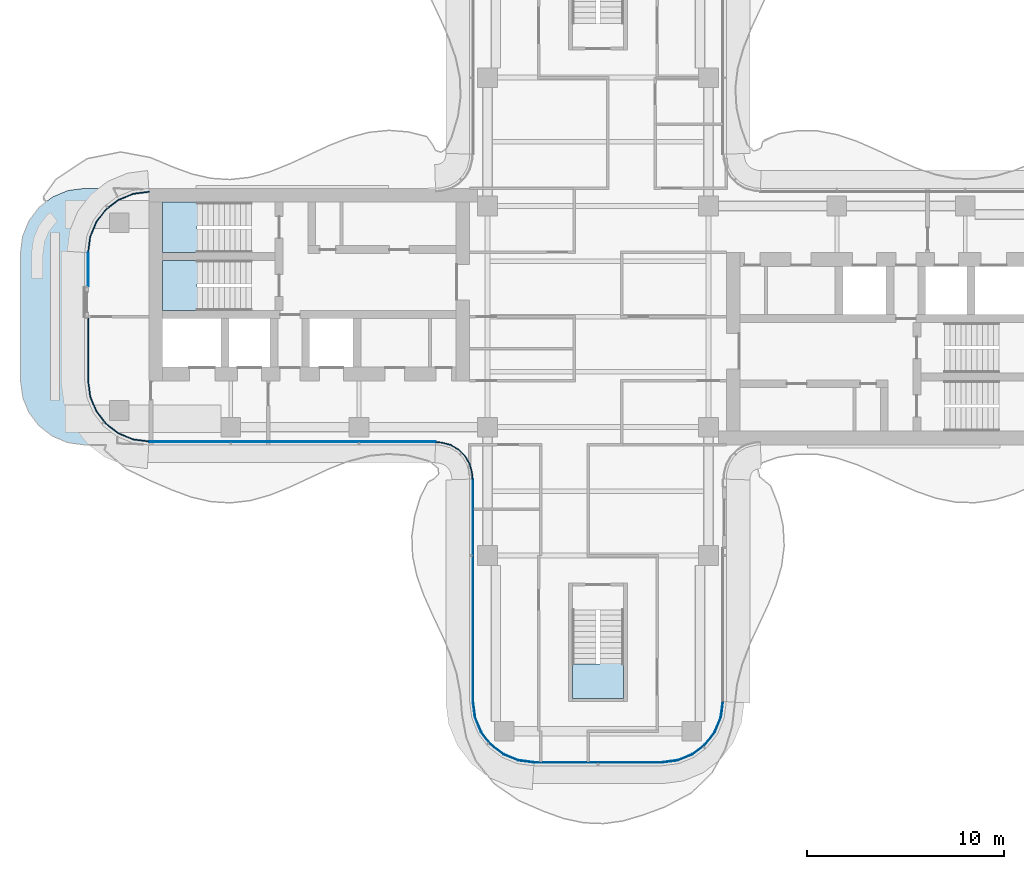
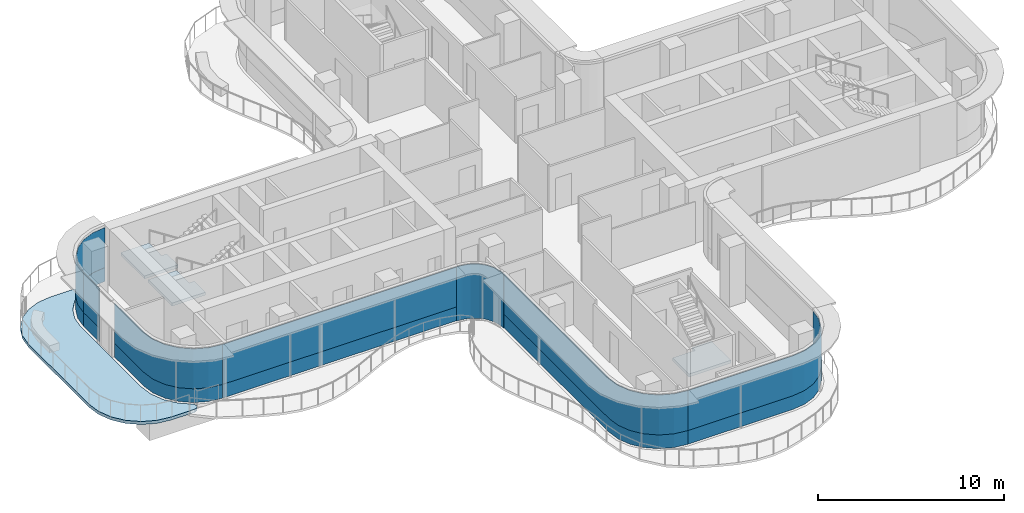
# One storey, part 8 of 17: 13 plates, 4 slabs, 10 elements without a shape of their own.
"""IFC4 building model written with IfcOpenShell, lengths in metres."""

import ifcopenshell
import ifcopenshell.guid

model = None  # the IFC model being written
_history = None  # IfcOwnerHistory: only IFC2X3 demands one
_inside = {}  # id of a spatial element -> (the spatial element, [elements in it])
_under = {}  # id of a project, library or spatial element -> (it, [spatial elements below it])
_declared = {}  # id of a project -> (the project, [libraries it declares])
_typed = {}  # id of a type object -> (the type object, [elements of that type])
_made_of = {}  # id of a material, layer set ... -> (it, [elements and type objects made of it])


def new_model(schema):
    """Start an empty IFC model of exactly this schema.

    Asked for "IFC4X3", IfcOpenShell would pick the latest addendum, in which some entities
    have other attributes; the version numbers below select the first issue.
    IFC2X3 requires an IfcOwnerHistory on every rooted entity: one is made here for all.
    """
    global model, _history
    if schema == "IFC4X3":
        model = ifcopenshell.file(schema_version=(4, 3, 0, 0))
    else:
        model = ifcopenshell.file(schema=schema)
    _inside.clear()
    _under.clear()
    _declared.clear()
    _typed.clear()
    _made_of.clear()
    _history = None
    if model.schema == "IFC2X3":
        org = make("IfcOrganization", Name="unknown")
        user = make(
            "IfcPersonAndOrganization",
            ThePerson=make("IfcPerson", FamilyName="unknown"),
            TheOrganization=org,
        )
        app = make(
            "IfcApplication",
            ApplicationDeveloper=org,
            Version="unknown",
            ApplicationFullName="unknown",
            ApplicationIdentifier="unknown",
        )
        _history = make(
            "IfcOwnerHistory",
            OwningUser=user,
            OwningApplication=app,
            ChangeAction="ADDED",
            CreationDate=0,
        )
    return model


def make(cls, **values):
    """One entity of the class cls with the attributes given. An attribute that is None is left unset."""
    return model.create_entity(
        cls, **{name: value for name, value in values.items() if value is not None}
    )


def rooted(cls, **values):
    """An entity with a GlobalId (a new one), such as an element, a storey or a relation."""
    return make(cls, GlobalId=ifcopenshell.guid.new(), OwnerHistory=_history, **values)


def si_unit(unit_type, name, prefix=None):
    """IfcSIUnit, for example si_unit("LENGTHUNIT", "METRE", prefix="MILLI")."""
    return make("IfcSIUnit", UnitType=unit_type, Prefix=prefix, Name=name)


def assignment(units):
    """IfcUnitAssignment: the units of a project."""
    return None if units is None else make("IfcUnitAssignment", Units=units)


def point(xyz):
    """IfcCartesianPoint."""
    return None if xyz is None else make("IfcCartesianPoint", Coordinates=xyz)


def direction(xyz):
    """IfcDirection."""
    return None if xyz is None else make("IfcDirection", DirectionRatios=xyz)


def frame(location, z_axis=None, x_axis=None):
    """IfcAxis2Placement3D, a coordinate frame: its origin and axes. An axis left out is left unset."""
    return make(
        "IfcAxis2Placement3D",
        Location=point(location),
        Axis=direction(z_axis),
        RefDirection=direction(x_axis),
    )


def origin():
    """The frame at (0, 0, 0) with its axes left unset."""
    return frame((0.0, 0.0, 0.0))


def place(relative_to, where):
    """IfcLocalPlacement: puts the frame where relative to a parent placement (None: the world)."""
    return make(
        "IfcLocalPlacement", PlacementRelTo=relative_to, RelativePlacement=where
    )


def context(
    kind, dimensions, precision=None, world=None, true_north=None, identifier=None
):
    """IfcGeometricRepresentationContext, for example the 3D "Model" context."""
    return make(
        "IfcGeometricRepresentationContext",
        ContextIdentifier=identifier,
        ContextType=kind,
        CoordinateSpaceDimension=dimensions,
        Precision=precision,
        WorldCoordinateSystem=world,
        TrueNorth=true_north,
    )


def subcontext(parent, identifier, kind, view, scale=None):
    """IfcGeometricRepresentationSubContext, for example "Body" below "Model"."""
    return make(
        "IfcGeometricRepresentationSubContext",
        ContextIdentifier=identifier,
        ContextType=kind,
        ParentContext=parent,
        TargetScale=scale,
        TargetView=view,
    )


def project(units=None, contexts=None):
    """IfcProject with its units and contexts."""
    return rooted(
        "IfcProject",
        Name="project",
        RepresentationContexts=contexts,
        UnitsInContext=assignment(units),
    )


def spatial(cls, under=None, at=None, **own):
    """A site, building, storey or space (cls), placed at a placement, below another one or the project."""
    s = rooted(cls, ObjectPlacement=at, **own)
    if under is not None:
        _under.setdefault(under.id(), (under, []))[1].append(s)
    return s


def polyline(points):
    """IfcPolyline through the points."""
    return make("IfcPolyline", Points=[point(p) for p in points])


def outline(outer, holes=None, kind="AREA"):
    """IfcArbitraryClosedProfileDef: a profile drawn as a closed curve; with holes, ...WithVoids."""
    if holes is None:
        return make("IfcArbitraryClosedProfileDef", ProfileType=kind, OuterCurve=outer)
    return make(
        "IfcArbitraryProfileDefWithVoids",
        ProfileType=kind,
        OuterCurve=outer,
        InnerCurves=holes,
    )


def extrude(swept, where, along, depth):
    """IfcExtrudedAreaSolid: the profile swept, set in the frame where, extruded along a direction by depth."""
    return make(
        "IfcExtrudedAreaSolid",
        SweptArea=swept,
        Position=where,
        ExtrudedDirection=direction(along),
        Depth=depth,
    )


def shape(context_of_items, identifier, shape_type, items):
    """IfcShapeRepresentation: the items that make up one representation, for example the "Body"."""
    return make(
        "IfcShapeRepresentation",
        ContextOfItems=context_of_items,
        RepresentationIdentifier=identifier,
        RepresentationType=shape_type,
        Items=items,
    )


def source(mapping_origin, context_of_items, identifier, shape_type, items):
    """IfcRepresentationMap: a shape defined once, which mapped items show again and again."""
    return make(
        "IfcRepresentationMap",
        MappingOrigin=mapping_origin,
        MappedRepresentation=shape(context_of_items, identifier, shape_type, items),
    )


def transform(
    local_origin,
    x_axis=None,
    y_axis=None,
    z_axis=None,
    scale=None,
    scale2=None,
    scale3=None,
    uniform=True,
):
    """IfcCartesianTransformationOperator3D, or its non-uniform kind. x_axis, y_axis, z_axis: its Axis1, 2, 3."""
    if uniform:
        return make(
            "IfcCartesianTransformationOperator3D",
            Axis1=direction(x_axis),
            Axis2=direction(y_axis),
            LocalOrigin=point(local_origin),
            Scale=scale,
            Axis3=direction(z_axis),
        )
    return make(
        "IfcCartesianTransformationOperator3DnonUniform",
        Axis1=direction(x_axis),
        Axis2=direction(y_axis),
        LocalOrigin=point(local_origin),
        Scale=scale,
        Axis3=direction(z_axis),
        Scale2=scale2,
        Scale3=scale3,
    )


def mapped(mapping_source, mapping_target):
    """IfcMappedItem: shows the shape of a source again, moved by a transform."""
    return make(
        "IfcMappedItem", MappingSource=mapping_source, MappingTarget=mapping_target
    )


def material(Name=None, Category=None):
    """IfcMaterial."""
    return make("IfcMaterial", Name=Name, Category=Category)


def layer(
    of_material, thickness, ventilated=None, Name=None, Category=None, Priority=None
):
    """IfcMaterialLayer: one layer of a wall or slab, of a material (None: an air gap)."""
    return make(
        "IfcMaterialLayer",
        Material=of_material,
        LayerThickness=thickness,
        IsVentilated=ventilated,
        Name=Name,
        Category=Category,
        Priority=Priority,
    )


def layer_set(layers, Name=None):
    """IfcMaterialLayerSet."""
    return make("IfcMaterialLayerSet", MaterialLayers=layers, LayerSetName=Name)


def made_of(thing, what):
    """Note that an element or type object is made of a material, layer set ...; save() writes the relation."""
    if what is not None:
        _made_of.setdefault(what.id(), (what, []))[1].append(thing)
    return thing


def type_object(cls, material=None, **own):
    """A type object (cls), such as IfcWallType, which elements share."""
    return made_of(rooted(cls, **own), material)


def element(
    cls,
    number,
    at=None,
    inside=None,
    cuts=None,
    type_object=None,
    material=None,
    context=None,
    identifier="Body",
    shape_type=None,
    held_by="IfcProductDefinitionShape",
    body=None,
    shapes=None,
    **own,
):
    """One element of the class cls, such as IfcWall. Its Tag is "e" and its number.

    at: its placement. inside: the storey or other place that contains it. cuts: it is an
    opening in that element (IfcRelVoidsElement). A single representation is given by context,
    identifier, shape_type and body (its items); several are given by shapes. held_by: the class
    of the entity that holds the representations. save() writes the other relations.
    """
    e = rooted(cls, Tag="e%d" % number, ObjectPlacement=at, **own)
    if body is not None:
        shapes = [shape(context, identifier, shape_type, body)]
    if shapes is not None:
        e.Representation = make(held_by, Representations=shapes)
    if inside is not None:
        _inside.setdefault(inside.id(), (inside, []))[1].append(e)
    if cuts is not None:
        rooted(
            "IfcRelVoidsElement", RelatingBuildingElement=cuts, RelatedOpeningElement=e
        )
    if type_object is not None:
        _typed.setdefault(type_object.id(), (type_object, []))[1].append(e)
    return made_of(e, material)


def aggregate(whole, parts):
    """IfcRelAggregates: a whole, such as a stair, and the parts it consists of."""
    return rooted("IfcRelAggregates", RelatingObject=whole, RelatedObjects=parts)


def save(model, path):
    """Write the relations noted so far, then the file.

    IfcRelAggregates (storeys below a building ...), IfcRelContainedInSpatialStructure (elements
    in a storey), IfcRelDefinesByType, IfcRelAssociatesMaterial and IfcRelDeclares: one each for
    every whole, place, type object, material and project.
    """
    for whole, parts in _under.values():
        aggregate(whole, parts)
    for where, things in _inside.values():
        rooted(
            "IfcRelContainedInSpatialStructure",
            RelatedElements=things,
            RelatingStructure=where,
        )
    for kind, things in _typed.values():
        rooted("IfcRelDefinesByType", RelatedObjects=things, RelatingType=kind)
    for what, things in _made_of.values():
        rooted("IfcRelAssociatesMaterial", RelatedObjects=things, RelatingMaterial=what)
    for by, libraries in _declared.values():
        rooted("IfcRelDeclares", RelatingContext=by, RelatedDefinitions=libraries)
    model.write(path)


model = new_model("IFC4")

# Units and contexts
model_context = context("Model", 3, precision=1e-05, world=origin(), true_north=direction((0.0, 1.0)))
body_context = subcontext(model_context, "Body", "Model", "MODEL_VIEW")
ifc_project = project(units=[si_unit("LENGTHUNIT", "METRE"), si_unit("AREAUNIT", "SQUARE_METRE"), si_unit("VOLUMEUNIT", "CUBIC_METRE"), si_unit("PLANEANGLEUNIT", "RADIAN"), si_unit("MASSUNIT", "GRAM", prefix="KILO")], contexts=[model_context])

# Site, building, storey
site_placement = place(None, origin())
site = spatial("IfcSite", under=ifc_project, at=site_placement, CompositionType="ELEMENT")
building_placement = place(site_placement, origin())
building = spatial("IfcBuilding", under=site, at=building_placement, Name="Trellis Farm Tower", CompositionType="ELEMENT")
storey_placement = place(building_placement, frame((0.0, 0.0, 279.39990234375)))
storey = spatial("IfcBuildingStorey", under=building, at=storey_placement, Name="L62", CompositionType="ELEMENT", Elevation=279.39990234375)

# Curtain wall, plate
ifc_material_1 = material(Name="Aluminium and glass curtain wall", Category="aluminium")
ifc_layer_1 = layer(ifc_material_1, 0.18994140625)
ifc_layer_set_1 = layer_set([ifc_layer_1], Name="RIBBON CURTAIN WALL CW1")
curtain_wall_type_1 = type_object("IfcCurtainWallType", Name="RIBBON CURTAIN WALL CW1", PredefinedType="NOTDEFINED", material=ifc_layer_set_1)
placement_1 = place(storey_placement, origin())
curtain_wall_1 = element("IfcCurtainWall", 1, at=placement_1, inside=storey, type_object=curtain_wall_type_1, Name="CW1 013", PredefinedType="NOTDEFINED")
ifc_material_2 = material(Name="Clear insulated glass", Category="glass")
ifc_layer_2 = layer(ifc_material_2, 0.0400390625)
ifc_layer_set_2 = layer_set([ifc_layer_2], Name="CW1 GLASS PANEL 40")
plate_type_1 = type_object("IfcPlateType", Name="CW1 GLASS PANEL 40", PredefinedType="CURTAIN_PANEL", material=ifc_layer_set_2)
placement_2 = place(storey_placement, frame((0.0, 0.0, 0.900146484375)))
plate_1 = element("IfcPlate", 2, at=placement_2, type_object=plate_type_1, Name="PL1 013", PredefinedType="CURTAIN_PANEL", context=body_context, shape_type="SweptSolid", body=[
    extrude(outline(polyline([(-25.85009765625, 3.240234375), (-25.85009765625, 1.5400390625), (-25.81005859375, 1.5400390625), (-25.81005859375, 3.237548828125), (-25.85009765625, 3.240234375)])), origin(), (0.0, 0.0, 1.0), 2.619873046875),
])

curtain_wall_2 = element("IfcCurtainWall", 3, at=placement_1, inside=storey, type_object=curtain_wall_type_1, Name="CW1 014", PredefinedType="NOTDEFINED")
plate_2 = element("IfcPlate", 4, at=placement_2, type_object=plate_type_1, Name="PL1 014", PredefinedType="CURTAIN_PANEL", context=body_context, shape_type="SweptSolid", body=[
    extrude(outline(polyline([(-25.85009765625, -0.080078125), (-25.85009765625, -3.240234375), (-25.7431640625, -4.052001953125), (-25.43359375, -4.79931640625), (-24.941162109375, -5.441162109375), (-24.29931640625, -5.93359375), (-23.552001953125, -6.2431640625), (-22.740234375, -6.35009765625), (-22.737548828125, -6.31005859375), (-23.54150390625, -6.2041015625), (-24.279296875, -5.898681640625), (-24.91259765625, -5.41259765625), (-25.398681640625, -4.779296875), (-25.7041015625, -4.04150390625), (-25.81005859375, -3.237548828125), (-25.81005859375, -0.080078125), (-25.85009765625, -0.080078125)])), origin(), (0.0, 0.0, 1.0), 2.619873046875),
])

# Plate
ifc_material_3 = material(Name="Sandstone faced insulated panel", Category="masonry")
ifc_layer_3 = layer(ifc_material_3, 0.050048828125)
ifc_layer_set_3 = layer_set([ifc_layer_3], Name="CW1 STONE SPANDREL PANEL 50")
plate_type_2 = type_object("IfcPlateType", Name="CW1 STONE SPANDREL PANEL 50", PredefinedType="CURTAIN_PANEL", material=ifc_layer_set_3)
plate_3 = element("IfcPlate", 5, at=placement_1, type_object=plate_type_2, Name="PS1 013", PredefinedType="CURTAIN_PANEL", context=body_context, shape_type="SweptSolid", body=[
    extrude(outline(polyline([(-25.85009765625, 3.240234375), (-25.85009765625, 1.5400390625), (-25.800048828125, 1.5400390625), (-25.800048828125, 3.23681640625), (-25.85009765625, 3.240234375)])), origin(), (0.0, 0.0, 1.0), 0.900146484375),
])

aggregate(curtain_wall_1, [plate_1, plate_3])

plate_4 = element("IfcPlate", 6, at=placement_1, type_object=plate_type_2, Name="PS1 014", PredefinedType="CURTAIN_PANEL", context=body_context, shape_type="SweptSolid", body=[
    extrude(outline(polyline([(-25.85009765625, -0.080078125), (-25.85009765625, -3.240234375), (-25.7431640625, -4.052001953125), (-25.43359375, -4.79931640625), (-24.941162109375, -5.441162109375), (-24.29931640625, -5.93359375), (-23.552001953125, -6.2431640625), (-22.740234375, -6.35009765625), (-22.73681640625, -6.300048828125), (-23.5390625, -6.1943359375), (-24.274169921875, -5.889892578125), (-24.905517578125, -5.405517578125), (-25.389892578125, -4.774169921875), (-25.6943359375, -4.0390625), (-25.800048828125, -3.23681640625), (-25.800048828125, -0.080078125), (-25.85009765625, -0.080078125)])), origin(), (0.0, 0.0, 1.0), 0.900146484375),
])

aggregate(curtain_wall_2, [plate_2, plate_4])

# Slab
ifc_material_4 = material(Name="Concrete C40/50", Category="concrete")
ifc_layer_4 = layer(ifc_material_4, 0.199951171875)
ifc_layer_set_4 = layer_set([ifc_layer_4], Name="Terrace slab on composite deck 200")
slab_type_1 = type_object("IfcSlabType", Name="Terrace slab on composite deck 200", PredefinedType="FLOOR", material=ifc_layer_set_4)
slab_1_placement = place(storey_placement, frame((0.0, 0.0, -0.199951171875)))
element("IfcSlab", 7, at=slab_1_placement, inside=storey, type_object=slab_type_1, Name="Terrace slab", PredefinedType="FLOOR", context=body_context, shape_type="SweptSolid", body=[
    extrude(outline(polyline([(-26.80859375, -6.3935546875), (-26.87158203125, -6.376708984375), (-27.594482421875, -6.0771484375), (-27.651123046875, -6.04443359375), (-28.27197265625, -5.568115234375), (-28.318115234375, -5.52197265625), (-28.79443359375, -4.901123046875), (-28.8271484375, -4.844482421875), (-29.126708984375, -4.12158203125), (-29.1435546875, -4.05859375), (-29.247802734375, -3.26611328125), (-29.25, -3.233642578125), (-29.25, 3.233642578125), (-29.247802734375, 3.26611328125), (-29.1435546875, 4.05859375), (-29.126708984375, 4.12158203125), (-28.8271484375, 4.844482421875), (-28.79443359375, 4.901123046875), (-28.318115234375, 5.52197265625), (-28.27197265625, 5.568115234375), (-27.651123046875, 6.04443359375), (-27.594482421875, 6.0771484375), (-26.87158203125, 6.376708984375), (-26.80859375, 6.3935546875), (-26.01611328125, 6.497802734375), (-25.983642578125, 6.5), (-24.5439453125, 6.5), (-24.359619140625, 6.4189453125), (-24.294921875, 6.228271484375), (-24.39111328125, 6.052978515625), (-25.048583984375, 5.548583984375), (-25.565185546875, 4.875244140625), (-25.889892578125, 4.09130859375), (-26.00048828125, 3.25), (-26.00048828125, -3.25), (-25.889892578125, -4.09130859375), (-25.565185546875, -4.875244140625), (-25.048583984375, -5.548583984375), (-24.39111328125, -6.052978515625), (-24.294921875, -6.228271484375), (-24.359619140625, -6.4189453125), (-24.5439453125, -6.5), (-25.983642578125, -6.5), (-26.01611328125, -6.497802734375), (-26.80859375, -6.3935546875)])), origin(), (0.0, 0.0, 1.0), 0.199951171875),
])

# Stair, slab
ifc_material_5 = material(Name="Concrete C50/60", Category="concrete")
stair_type = type_object("IfcStairType", Name="CORE EXIT STAIR 22 RISERS 177 MM", PredefinedType="HALF_TURN_STAIR", material=ifc_material_5)
stair_1 = element("IfcStair", 8, at=placement_1, inside=storey, type_object=stair_type, Name="Exit stair S", PredefinedType="HALF_TURN_STAIR")
ifc_layer_5 = layer(ifc_material_5, 0.18994140625)
ifc_layer_set_5 = layer_set([ifc_layer_5], Name="CORE STAIR LANDING 190 CONCRETE C50/60")
slab_type_2 = type_object("IfcSlabType", Name="CORE STAIR LANDING 190 CONCRETE C50/60", PredefinedType="LANDING", material=ifc_layer_set_5)
shared_shape_1 = source(origin(), body_context, "Body", "SweptSolid", [
    extrude(outline(polyline([(1.300048828125, -19.35009765625), (-1.300048828125, -19.35009765625), (-1.300048828125, -17.60009765625), (-1.300048828125, -17.590087890625), (-0.10009765625, -17.590087890625), (-0.10009765625, -17.60009765625), (0.10009765625, -17.60009765625), (0.10009765625, -17.27197265625), (1.300048828125, -17.27197265625), (1.300048828125, -17.60009765625), (1.300048828125, -19.35009765625)])), origin(), (0.0, 0.0, 1.0), 0.190185546875),
])
placement_3 = place(storey_placement, frame((0.0, 0.0, 1.760009765625)))
slab_2 = element("IfcSlab", 9, at=placement_3, type_object=slab_type_2, Name="STS landing 1", PredefinedType="LANDING", context=body_context, shape_type="MappedRepresentation", body=[
    mapped(shared_shape_1, transform((0.0, 0.0, 0.0))),
])
aggregate(stair_1, [slab_2])

stair_2 = element("IfcStair", 10, at=placement_1, inside=storey, type_object=stair_type, Name="Exit stair W1", PredefinedType="HALF_TURN_STAIR")
shared_shape_2 = source(origin(), body_context, "Body", "SweptSolid", [
    extrude(outline(polyline([(-19.971923828125, 4.449951171875), (-19.971923828125, 3.25), (-20.300048828125, 3.25), (-22.050048828125, 3.25), (-22.050048828125, 5.800048828125), (-20.300048828125, 5.800048828125), (-20.2900390625, 5.800048828125), (-20.2900390625, 4.60009765625), (-20.300048828125, 4.60009765625), (-20.300048828125, 4.449951171875), (-19.971923828125, 4.449951171875)])), origin(), (0.0, 0.0, 1.0), 0.190185546875),
])
slab_3 = element("IfcSlab", 11, at=placement_3, type_object=slab_type_2, Name="STW1 landing 1", PredefinedType="LANDING", context=body_context, shape_type="MappedRepresentation", body=[
    mapped(shared_shape_2, transform((0.0, 0.0, 0.0))),
])
aggregate(stair_2, [slab_3])

stair_3 = element("IfcStair", 12, at=placement_1, inside=storey, type_object=stair_type, Name="Exit stair W2", PredefinedType="HALF_TURN_STAIR")
shared_shape_3 = source(origin(), body_context, "Body", "SweptSolid", [
    extrude(outline(polyline([(-19.971923828125, 1.5), (-19.971923828125, 0.300048828125), (-20.300048828125, 0.300048828125), (-22.050048828125, 0.300048828125), (-22.050048828125, 2.85009765625), (-20.300048828125, 2.85009765625), (-20.2900390625, 2.85009765625), (-20.2900390625, 1.64990234375), (-20.300048828125, 1.64990234375), (-20.300048828125, 1.5), (-19.971923828125, 1.5)])), origin(), (0.0, 0.0, 1.0), 0.190185546875),
])
slab_4 = element("IfcSlab", 13, at=placement_3, type_object=slab_type_2, Name="STW2 landing 1", PredefinedType="LANDING", context=body_context, shape_type="MappedRepresentation", body=[
    mapped(shared_shape_3, transform((0.0, 0.0, 0.0))),
])
aggregate(stair_3, [slab_4])

# Curtain wall, plate
ifc_layer_6 = layer(ifc_material_1, 0.166015625)
ifc_layer_set_6 = layer_set([ifc_layer_6], Name="WINTER GARDEN CURTAIN WALL CW3")
curtain_wall_type_2 = type_object("IfcCurtainWallType", Name="WINTER GARDEN CURTAIN WALL CW3", PredefinedType="NOTDEFINED", material=ifc_layer_set_6)
curtain_wall_3 = element("IfcCurtainWall", 14, at=placement_1, inside=storey, type_object=curtain_wall_type_2, Name="CW3 001", PredefinedType="NOTDEFINED")
ifc_layer_7 = layer(ifc_material_2, 0.0458984375)
ifc_layer_set_7 = layer_set([ifc_layer_7], Name="CW3 GLASS PANEL 46")
plate_type_3 = type_object("IfcPlateType", Name="CW3 GLASS PANEL 46", PredefinedType="CURTAIN_PANEL", material=ifc_layer_set_7)
shared_shape_4 = source(origin(), body_context, "Body", "SweptSolid", [
    extrude(outline(polyline([(-8.2275390625, -6.3798828125), (-8.0078125, -6.394287109375), (-7.89208984375, -6.40966796875), (-7.462158203125, -6.52490234375), (-7.070556640625, -6.7509765625), (-6.7509765625, -7.070556640625), (-6.52490234375, -7.462158203125), (-6.40966796875, -7.89208984375), (-6.394287109375, -8.0078125), (-6.3798828125, -8.2275390625), (-6.333984375, -8.22607421875), (-6.3486328125, -8.003173828125), (-6.364501953125, -7.883056640625), (-6.48193359375, -7.4443359375), (-6.714111328125, -7.04248046875), (-7.04248046875, -6.714111328125), (-7.4443359375, -6.48193359375), (-7.883056640625, -6.364501953125), (-8.003173828125, -6.3486328125), (-8.22607421875, -6.333984375), (-8.2275390625, -6.3798828125)])), origin(), (0.0, 0.0, 1.0), 3.550048828125),
])
plate_5 = element("IfcPlate", 15, at=placement_1, type_object=plate_type_3, Name="PL3 001", PredefinedType="CURTAIN_PANEL", context=body_context, shape_type="MappedRepresentation", body=[
    mapped(shared_shape_4, transform((0.0, 0.0, 0.0))),
])
aggregate(curtain_wall_3, [plate_5])

# Curtain wall, plates
curtain_wall_4 = element("IfcCurtainWall", 16, at=placement_1, inside=storey, type_object=curtain_wall_type_1, Name="CW1 002", PredefinedType="NOTDEFINED")
shared_shape_5 = source(origin(), body_context, "Body", "SweptSolid", [
    extrude(outline(polyline([(-6.35009765625, -8.2265625), (-6.35009765625, -19.490234375), (-6.2431640625, -20.302001953125), (-5.93359375, -21.04931640625), (-5.441162109375, -21.691162109375), (-4.79931640625, -22.18359375), (-4.052001953125, -22.4931640625), (-3.240234375, -22.60009765625), (-3.237548828125, -22.56005859375), (-4.04150390625, -22.4541015625), (-4.779296875, -22.148681640625), (-5.41259765625, -21.66259765625), (-5.898681640625, -21.029296875), (-6.2041015625, -20.29150390625), (-6.31005859375, -19.487548828125), (-6.31005859375, -8.22509765625), (-6.35009765625, -8.2265625)])), origin(), (0.0, 0.0, 1.0), 2.619873046875),
])
plate_6 = element("IfcPlate", 17, at=placement_2, type_object=plate_type_1, Name="PL1 002", PredefinedType="CURTAIN_PANEL", context=body_context, shape_type="MappedRepresentation", body=[
    mapped(shared_shape_5, transform((0.0, 0.0, 0.0))),
])
shared_shape_6 = source(origin(), body_context, "Body", "SweptSolid", [
    extrude(outline(polyline([(-6.35009765625, -8.2265625), (-6.35009765625, -19.490234375), (-6.2431640625, -20.302001953125), (-5.93359375, -21.04931640625), (-5.441162109375, -21.691162109375), (-4.79931640625, -22.18359375), (-4.052001953125, -22.4931640625), (-3.240234375, -22.60009765625), (-3.23681640625, -22.550048828125), (-4.0390625, -22.4443359375), (-4.774169921875, -22.139892578125), (-5.405517578125, -21.655517578125), (-5.889892578125, -21.024169921875), (-6.1943359375, -20.2890625), (-6.300048828125, -19.48681640625), (-6.300048828125, -8.224853515625), (-6.35009765625, -8.2265625)])), origin(), (0.0, 0.0, 1.0), 0.900146484375),
])
plate_7 = element("IfcPlate", 18, at=placement_1, type_object=plate_type_2, Name="PS1 002", PredefinedType="CURTAIN_PANEL", context=body_context, shape_type="MappedRepresentation", body=[
    mapped(shared_shape_6, transform((0.0, 0.0, 0.0))),
])
aggregate(curtain_wall_4, [plate_6, plate_7])

curtain_wall_5 = element("IfcCurtainWall", 19, at=placement_1, inside=storey, type_object=curtain_wall_type_1, Name="CW1 003", PredefinedType="NOTDEFINED")
shared_shape_7 = source(origin(), body_context, "Body", "SweptSolid", [
    extrude(outline(polyline([(-3.240234375, -22.60009765625), (3.240234375, -22.60009765625), (4.052001953125, -22.4931640625), (4.79931640625, -22.18359375), (5.441162109375, -21.691162109375), (5.93359375, -21.04931640625), (6.2431640625, -20.302001953125), (6.35009765625, -19.490234375), (6.31005859375, -19.487548828125), (6.2041015625, -20.29150390625), (5.898681640625, -21.029296875), (5.41259765625, -21.66259765625), (4.779296875, -22.148681640625), (4.04150390625, -22.4541015625), (3.237548828125, -22.56005859375), (-3.237548828125, -22.56005859375), (-3.240234375, -22.60009765625)])), origin(), (0.0, 0.0, 1.0), 2.619873046875),
])
plate_8 = element("IfcPlate", 20, at=placement_2, type_object=plate_type_1, Name="PL1 003", PredefinedType="CURTAIN_PANEL", context=body_context, shape_type="MappedRepresentation", body=[
    mapped(shared_shape_7, transform((0.0, 0.0, 0.0))),
])
shared_shape_8 = source(origin(), body_context, "Body", "SweptSolid", [
    extrude(outline(polyline([(-3.240234375, -22.60009765625), (3.240234375, -22.60009765625), (4.052001953125, -22.4931640625), (4.79931640625, -22.18359375), (5.441162109375, -21.691162109375), (5.93359375, -21.04931640625), (6.2431640625, -20.302001953125), (6.35009765625, -19.490234375), (6.300048828125, -19.48681640625), (6.1943359375, -20.2890625), (5.889892578125, -21.024169921875), (5.405517578125, -21.655517578125), (4.774169921875, -22.139892578125), (4.0390625, -22.4443359375), (3.23681640625, -22.550048828125), (-3.23681640625, -22.550048828125), (-3.240234375, -22.60009765625)])), origin(), (0.0, 0.0, 1.0), 0.900146484375),
])
plate_9 = element("IfcPlate", 21, at=placement_1, type_object=plate_type_2, Name="PS1 003", PredefinedType="CURTAIN_PANEL", context=body_context, shape_type="MappedRepresentation", body=[
    mapped(shared_shape_8, transform((0.0, 0.0, 0.0))),
])
aggregate(curtain_wall_5, [plate_8, plate_9])

curtain_wall_6 = element("IfcCurtainWall", 22, at=placement_1, inside=storey, type_object=curtain_wall_type_1, Name="CW1 001", PredefinedType="NOTDEFINED")
shared_shape_9 = source(origin(), body_context, "Body", "SweptSolid", [
    extrude(outline(polyline([(-22.740234375, -6.35009765625), (-8.2265625, -6.35009765625), (-8.22509765625, -6.31005859375), (-22.737548828125, -6.31005859375), (-22.740234375, -6.35009765625)])), origin(), (0.0, 0.0, 1.0), 2.619873046875),
])
plate_10 = element("IfcPlate", 23, at=placement_2, type_object=plate_type_1, Name="PL1 001", PredefinedType="CURTAIN_PANEL", context=body_context, shape_type="MappedRepresentation", body=[
    mapped(shared_shape_9, transform((0.0, 0.0, 0.0))),
])
shared_shape_10 = source(origin(), body_context, "Body", "SweptSolid", [
    extrude(outline(polyline([(-22.740234375, -6.35009765625), (-8.2265625, -6.35009765625), (-8.224853515625, -6.300048828125), (-22.73681640625, -6.300048828125), (-22.740234375, -6.35009765625)])), origin(), (0.0, 0.0, 1.0), 0.900146484375),
])
plate_11 = element("IfcPlate", 24, at=placement_1, type_object=plate_type_2, Name="PS1 001", PredefinedType="CURTAIN_PANEL", context=body_context, shape_type="MappedRepresentation", body=[
    mapped(shared_shape_10, transform((0.0, 0.0, 0.0))),
])
aggregate(curtain_wall_6, [plate_10, plate_11])

curtain_wall_7 = element("IfcCurtainWall", 25, at=placement_1, inside=storey, type_object=curtain_wall_type_1, Name="CW1 012", PredefinedType="NOTDEFINED")
shared_shape_11 = source(origin(), body_context, "Body", "SweptSolid", [
    extrude(outline(polyline([(-22.740234375, 6.35009765625), (-23.552001953125, 6.2431640625), (-24.29931640625, 5.93359375), (-24.941162109375, 5.441162109375), (-25.43359375, 4.79931640625), (-25.7431640625, 4.052001953125), (-25.85009765625, 3.240234375), (-25.81005859375, 3.237548828125), (-25.7041015625, 4.04150390625), (-25.398681640625, 4.779296875), (-24.91259765625, 5.41259765625), (-24.279296875, 5.898681640625), (-23.54150390625, 6.2041015625), (-22.737548828125, 6.31005859375), (-22.740234375, 6.35009765625)])), origin(), (0.0, 0.0, 1.0), 2.619873046875),
])
plate_12 = element("IfcPlate", 26, at=placement_2, type_object=plate_type_1, Name="PL1 012", PredefinedType="CURTAIN_PANEL", context=body_context, shape_type="MappedRepresentation", body=[
    mapped(shared_shape_11, transform((0.0, 0.0, 0.0))),
])
shared_shape_12 = source(origin(), body_context, "Body", "SweptSolid", [
    extrude(outline(polyline([(-22.740234375, 6.35009765625), (-23.552001953125, 6.2431640625), (-24.29931640625, 5.93359375), (-24.941162109375, 5.441162109375), (-25.43359375, 4.79931640625), (-25.7431640625, 4.052001953125), (-25.85009765625, 3.240234375), (-25.800048828125, 3.23681640625), (-25.6943359375, 4.0390625), (-25.389892578125, 4.774169921875), (-24.905517578125, 5.405517578125), (-24.274169921875, 5.889892578125), (-23.5390625, 6.1943359375), (-22.73681640625, 6.300048828125), (-22.740234375, 6.35009765625)])), origin(), (0.0, 0.0, 1.0), 0.900146484375),
])
plate_13 = element("IfcPlate", 27, at=placement_1, type_object=plate_type_2, Name="PS1 012", PredefinedType="CURTAIN_PANEL", context=body_context, shape_type="MappedRepresentation", body=[
    mapped(shared_shape_12, transform((0.0, 0.0, 0.0))),
])
aggregate(curtain_wall_7, [plate_12, plate_13])

save(model, "model.ifc")
